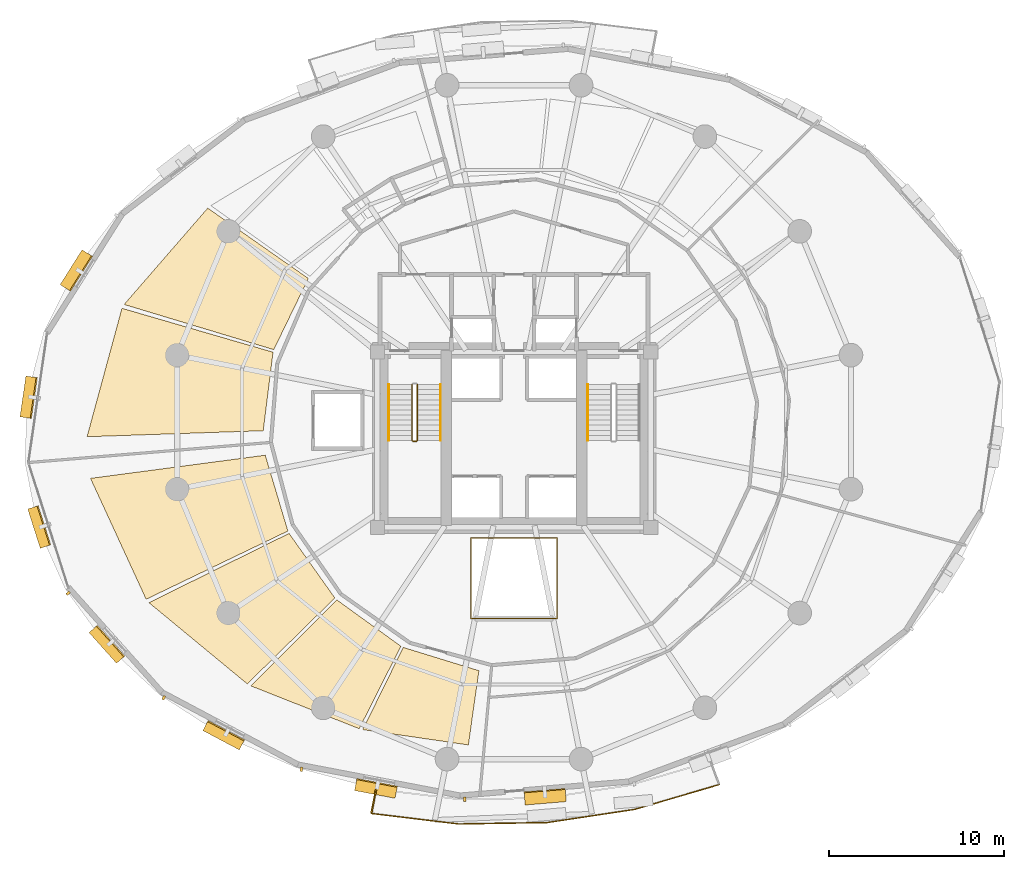
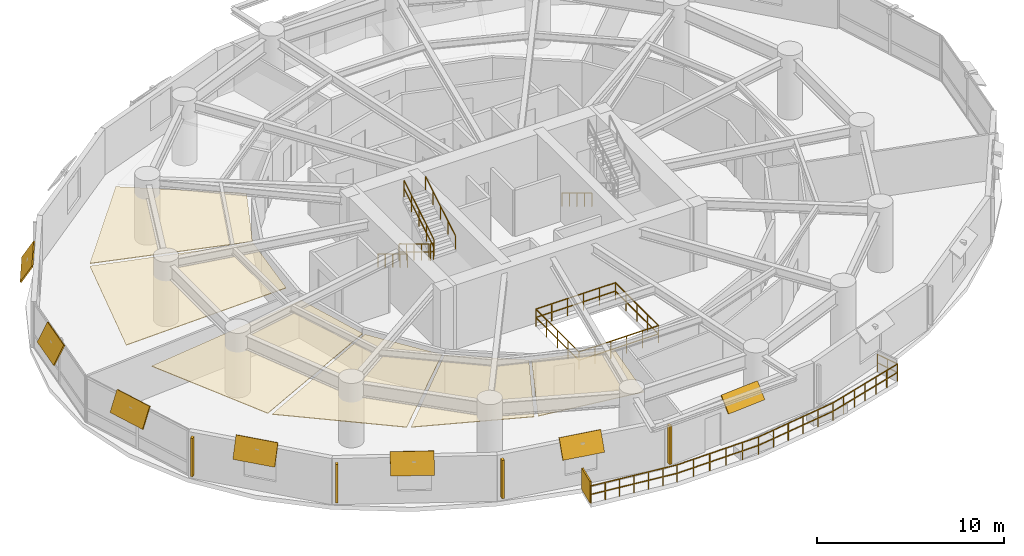
# One storey, part 14 of 16: 12 shading devices, 8 railings, 6 coverings.
"""IFC4 building model written with IfcOpenShell, lengths in metres."""

from ifc_helpers import new_model, si_unit, direction, frame, origin, origin_2d, place, context, subcontext, project, spatial, polyline, rectangle, outline, extrude, material, layer, layer_set, type_object, element, save


model = new_model("IFC4")

# Units and contexts
model_context = context("Model", 3, precision=1e-05, world=origin(), true_north=direction((0.0, 1.0)))
body_context = subcontext(model_context, "Body", "Model", "MODEL_VIEW")
ifc_project = project(units=[si_unit("LENGTHUNIT", "METRE"), si_unit("AREAUNIT", "SQUARE_METRE"), si_unit("VOLUMEUNIT", "CUBIC_METRE"), si_unit("PLANEANGLEUNIT", "RADIAN"), si_unit("MASSUNIT", "GRAM", prefix="KILO"), si_unit("THERMODYNAMICTEMPERATUREUNIT", "KELVIN"), si_unit("POWERUNIT", "WATT")], contexts=[model_context])

# Site, building, storey
site_placement = place(None, origin())
site = spatial("IfcSite", under=ifc_project, at=site_placement, CompositionType="ELEMENT")
building_placement = place(site_placement, origin())
building = spatial("IfcBuilding", under=site, at=building_placement, Name="Ocrelia Relay Tower", CompositionType="ELEMENT")
storey_placement = place(building_placement, frame((0.0, 0.0, 51.0)))
storey = spatial("IfcBuildingStorey", under=building, at=storey_placement, Name="L11", CompositionType="ELEMENT", Elevation=51.0)

# Coverings
ifc_material_1 = material(Name="Mineral-fiber acoustic ceiling tile", Category="gypsum")
ifc_layer_1 = layer(ifc_material_1, 0.0400390625, Name="Mineral-fiber acoustic ceiling tile")
ifc_layer_set_1 = layer_set([ifc_layer_1], Name="Mineral-fiber acoustic ceiling tile")
covering_type_1 = type_object("IfcCoveringType", Name="COV-CEIL-ACOUSTIC", PredefinedType="CEILING", material=ifc_layer_set_1)
covering_1_placement = place(storey_placement, frame((0.0, 0.0, 2.919921875)))
element("IfcCovering", 1, at=covering_1_placement, inside=storey, type_object=covering_type_1, Name="L11 Carrier Briefing Room Suspended Ceiling 3", PredefinedType="CEILING", context=body_context, shape_type="SweptSolid", body=[
    extrude(outline(polyline([(22.2626953125, 34.203369140625), (16.52294921875, 38.21484375), (11.752197265625, 32.717041015625), (20.291259765625, 30.138916015625), (22.2626953125, 34.203369140625)])), origin(), (0.0, 0.0, 1.0), 0.0400390625),
])
covering_2_placement = place(storey_placement, frame((0.0, 0.0, 2.919921875)))
element("IfcCovering", 2, at=covering_2_placement, inside=storey, type_object=covering_type_1, Name="L11 Carrier Briefing Room Suspended Ceiling 4", PredefinedType="CEILING", context=body_context, shape_type="SweptSolid", body=[
    extrude(outline(polyline([(20.24853515625, 29.9951171875), (11.62841796875, 32.49951171875), (9.63623046875, 25.17041015625), (19.688232421875, 25.5126953125), (20.24853515625, 29.9951171875)])), origin(), (0.0, 0.0, 1.0), 0.0400390625),
])
ifc_material_2 = material(Name="Cleanroom metal-pan acoustic ceiling", Category="aluminium")
ifc_layer_2 = layer(ifc_material_2, 0.0400390625, Name="Cleanroom metal-pan acoustic ceiling")
ifc_layer_set_2 = layer_set([ifc_layer_2], Name="Cleanroom metal-pan acoustic ceiling")
covering_type_2 = type_object("IfcCoveringType", Name="COV-CEIL-CLEAN", PredefinedType="CEILING", material=ifc_layer_set_2)
covering_3_placement = place(storey_placement, frame((0.0, 0.0, 2.919921875)))
element("IfcCovering", 3, at=covering_3_placement, inside=storey, type_object=covering_type_2, Name="L11 Colocation Data Hall A Suspended Ceiling 1", PredefinedType="CEILING", context=body_context, shape_type="SweptSolid", body=[
    extrude(outline(polyline([(19.80419921875, 24.118408203125), (9.83349609375, 22.796875), (13.008056640625, 15.897216796875), (21.0966796875, 19.7900390625), (19.80419921875, 24.118408203125)])), origin(), (0.0, 0.0, 1.0), 0.0400390625),
])
covering_4_placement = place(storey_placement, frame((0.0, 0.0, 2.919921875)))
element("IfcCovering", 4, at=covering_4_placement, inside=storey, type_object=covering_type_2, Name="L11 Colocation Data Hall A Suspended Ceiling 2", PredefinedType="CEILING", context=body_context, shape_type="SweptSolid", body=[
    extrude(outline(polyline([(21.162353515625, 19.6552734375), (13.165771484375, 15.703125), (18.77880859375, 11.068115234375), (23.777587890625, 15.971923828125), (21.162353515625, 19.6552734375)])), origin(), (0.0, 0.0, 1.0), 0.0400390625),
])
covering_5_placement = place(storey_placement, frame((0.0, 0.0, 2.919921875)))
element("IfcCovering", 5, at=covering_5_placement, inside=storey, type_object=covering_type_2, Name="L11 Colocation Data Hall A Suspended Ceiling 3", PredefinedType="CEILING", context=body_context, shape_type="SweptSolid", body=[
    extrude(outline(polyline([(23.883056640625, 15.865478515625), (18.980712890625, 10.954345703125), (25.165771484375, 8.511474609375), (27.54345703125, 13.21826171875), (23.883056640625, 15.865478515625)])), origin(), (0.0, 0.0, 1.0), 0.0400390625),
])
covering_6_placement = place(storey_placement, frame((0.0, 0.0, 2.919921875)))
element("IfcCovering", 6, at=covering_6_placement, inside=storey, type_object=covering_type_2, Name="L11 Colocation Data Hall A Suspended Ceiling 4", PredefinedType="CEILING", context=body_context, shape_type="SweptSolid", body=[
    extrude(outline(polyline([(27.677490234375, 13.1513671875), (25.369140625, 8.459716796875), (31.3955078125, 7.585205078125), (31.99462890625, 11.821044921875), (27.677490234375, 13.1513671875)])), origin(), (0.0, 0.0, 1.0), 0.0400390625),
])

# Railings
ifc_material_3 = material(Name="Steel S355 balustrade", Category="steel")
railing_type_1 = type_object("IfcRailingType", Name="RL-EXT-GUARD-1150", PredefinedType="GUARDRAIL", material=ifc_material_3)
railing_1_placement = place(storey_placement, frame((45.227294921875, 6.630859375, 0.0)))
element("IfcRailing", 7, at=railing_1_placement, inside=storey, type_object=railing_type_1, Name="L11 Loggia Balcony Guard Rail B2", PredefinedType="GUARDRAIL", context=body_context, shape_type="SweptSolid", body=[
    extrude(rectangle(XDim=0.048095703125, YDim=0.048095703125, at=origin_2d()), frame((0.0, 0.0, 1.1259765625), z_axis=(0.348683601704, -0.937240495232, 0.0), x_axis=(0.937240495232, 0.348683601704, 0.0)), (0.0, 0.0, 1.0), 1.393310546875),
    extrude(rectangle(XDim=0.048095703125, YDim=0.048095703125, at=origin_2d()), frame((0.0, 0.0, 0.574951171875), z_axis=(0.348683601704, -0.937240495232, 0.0), x_axis=(0.937240495232, 0.348683601704, 0.0)), (0.0, 0.0, 1.0), 1.393310546875),
    extrude(rectangle(XDim=0.048095703125, YDim=0.048095703125, at=origin_2d()), frame((0.48583984375, -1.305908203125, 1.1259765625), z_axis=(-0.9594260059, -0.28196052774, 0.0), x_axis=(0.28196052774, -0.9594260059, 0.0)), (0.0, 0.0, 1.0), 2.5048828125),
    extrude(rectangle(XDim=0.048095703125, YDim=0.048095703125, at=origin_2d()), frame((0.48583984375, -1.305908203125, 0.574951171875), z_axis=(-0.9594260059, -0.28196052774, 0.0), x_axis=(0.28196052774, -0.9594260059, 0.0)), (0.0, 0.0, 1.0), 2.5048828125),
    extrude(rectangle(XDim=0.048095703125, YDim=0.048095703125, at=origin_2d()), frame((-1.91748046875, -2.01220703125, 1.1259765625), z_axis=(-0.9594260059, -0.28196052774, 0.0), x_axis=(0.28196052774, -0.9594260059, 0.0)), (0.0, 0.0, 1.0), 2.5048828125),
    extrude(rectangle(XDim=0.048095703125, YDim=0.048095703125, at=origin_2d()), frame((-1.91748046875, -2.01220703125, 0.574951171875), z_axis=(-0.9594260059, -0.28196052774, 0.0), x_axis=(0.28196052774, -0.9594260059, 0.0)), (0.0, 0.0, 1.0), 2.5048828125),
    extrude(rectangle(XDim=0.048095703125, YDim=0.048095703125, at=origin_2d()), frame((-4.32080078125, -2.718505859375, 1.1259765625), z_axis=(-0.988773840141, -0.14941985495, 0.0), x_axis=(0.14941985495, -0.988773840141, 0.0)), (0.0, 0.0, 1.0), 5.065185546875),
    extrude(rectangle(XDim=0.048095703125, YDim=0.048095703125, at=origin_2d()), frame((-4.32080078125, -2.718505859375, 0.574951171875), z_axis=(-0.988773840141, -0.14941985495, 0.0), x_axis=(0.14941985495, -0.988773840141, 0.0)), (0.0, 0.0, 1.0), 5.065185546875),
    extrude(rectangle(XDim=0.048095703125, YDim=0.048095703125, at=origin_2d()), frame((-9.3291015625, -3.475341796875, 1.1259765625), z_axis=(-0.9998742538, -0.015858013377, 0.0), x_axis=(0.015858013377, -0.9998742538, 0.0)), (0.0, 0.0, 1.0), 5.065185546875),
    extrude(rectangle(XDim=0.048095703125, YDim=0.048095703125, at=origin_2d()), frame((-9.3291015625, -3.475341796875, 0.574951171875), z_axis=(-0.9998742538, -0.015858013377, 0.0), x_axis=(0.015858013377, -0.9998742538, 0.0)), (0.0, 0.0, 1.0), 5.065185546875),
    extrude(rectangle(XDim=0.048095703125, YDim=0.048095703125, at=origin_2d()), frame((-14.3935546875, -3.5556640625, 1.1259765625), z_axis=(-0.992801008866, 0.119775443202, 0.0), x_axis=(-0.119775443202, -0.992801008866, 0.0)), (0.0, 0.0, 1.0), 2.505126953125),
    extrude(rectangle(XDim=0.048095703125, YDim=0.048095703125, at=origin_2d()), frame((-14.3935546875, -3.5556640625, 0.574951171875), z_axis=(-0.992801008866, 0.119775443202, 0.0), x_axis=(-0.119775443202, -0.992801008866, 0.0)), (0.0, 0.0, 1.0), 2.505126953125),
    extrude(rectangle(XDim=0.048095703125, YDim=0.048095703125, at=origin_2d()), frame((-16.880615234375, -3.255615234375, 1.1259765625), z_axis=(-0.992799610521, 0.119787033313, 0.0), x_axis=(-0.119787033313, -0.992799610521, 0.0)), (0.0, 0.0, 1.0), 2.5048828125),
    extrude(rectangle(XDim=0.048095703125, YDim=0.048095703125, at=origin_2d()), frame((-16.880615234375, -3.255615234375, 0.574951171875), z_axis=(-0.992799610521, 0.119787033313, 0.0), x_axis=(-0.119787033313, -0.992799610521, 0.0)), (0.0, 0.0, 1.0), 2.5048828125),
    extrude(rectangle(XDim=0.048095703125, YDim=0.048095703125, at=origin_2d()), frame((-19.367431640625, -2.95556640625, 1.1259765625), z_axis=(0.189237311406, 0.981931382517, 0.0), x_axis=(-0.981931382517, 0.189237311406, 0.0)), (0.0, 0.0, 1.0), 1.393310546875),
    extrude(rectangle(XDim=0.048095703125, YDim=0.048095703125, at=origin_2d()), frame((-19.367431640625, -2.95556640625, 0.574951171875), z_axis=(0.189237311406, 0.981931382517, 0.0), x_axis=(-0.981931382517, 0.189237311406, 0.0)), (0.0, 0.0, 1.0), 1.393310546875),
    extrude(rectangle(XDim=0.0419921875, YDim=0.0419921875, at=origin_2d()), origin(), (0.0, 0.0, 1.0), 1.101806640625),
    extrude(rectangle(XDim=0.0419921875, YDim=0.0419921875, at=origin_2d()), frame((0.242919921875, -0.65283203125, 0.0)), (0.0, 0.0, 1.0), 1.101806640625),
    extrude(rectangle(XDim=0.0419921875, YDim=0.0419921875, at=origin_2d()), frame((0.48583984375, -1.305908203125, 0.0)), (0.0, 0.0, 1.0), 1.101806640625),
    extrude(rectangle(XDim=0.0419921875, YDim=0.0419921875, at=origin_2d()), frame((-0.315185546875, -1.541259765625, 0.0)), (0.0, 0.0, 1.0), 1.101806640625),
    extrude(rectangle(XDim=0.0419921875, YDim=0.0419921875, at=origin_2d()), frame((-1.116455078125, -1.77685546875, 0.0)), (0.0, 0.0, 1.0), 1.101806640625),
    extrude(rectangle(XDim=0.0419921875, YDim=0.0419921875, at=origin_2d()), frame((-1.91748046875, -2.01220703125, 0.0)), (0.0, 0.0, 1.0), 1.101806640625),
    extrude(rectangle(XDim=0.0419921875, YDim=0.0419921875, at=origin_2d()), frame((-2.718505859375, -2.24755859375, 0.0)), (0.0, 0.0, 1.0), 1.101806640625),
    extrude(rectangle(XDim=0.0419921875, YDim=0.0419921875, at=origin_2d()), frame((-3.519775390625, -2.483154296875, 0.0)), (0.0, 0.0, 1.0), 1.101806640625),
    extrude(rectangle(XDim=0.0419921875, YDim=0.0419921875, at=origin_2d()), frame((-4.32080078125, -2.718505859375, 0.0)), (0.0, 0.0, 1.0), 1.101806640625),
    extrude(rectangle(XDim=0.0419921875, YDim=0.0419921875, at=origin_2d()), frame((-5.322509765625, -2.869873046875, 0.0)), (0.0, 0.0, 1.0), 1.101806640625),
    extrude(rectangle(XDim=0.0419921875, YDim=0.0419921875, at=origin_2d()), frame((-6.32421875, -3.021240234375, 0.0)), (0.0, 0.0, 1.0), 1.101806640625),
    extrude(rectangle(XDim=0.0419921875, YDim=0.0419921875, at=origin_2d()), frame((-7.32568359375, -3.172607421875, 0.0)), (0.0, 0.0, 1.0), 1.101806640625),
    extrude(rectangle(XDim=0.0419921875, YDim=0.0419921875, at=origin_2d()), frame((-8.327392578125, -3.323974609375, 0.0)), (0.0, 0.0, 1.0), 1.101806640625),
    extrude(rectangle(XDim=0.0419921875, YDim=0.0419921875, at=origin_2d()), frame((-9.3291015625, -3.475341796875, 0.0)), (0.0, 0.0, 1.0), 1.101806640625),
    extrude(rectangle(XDim=0.0419921875, YDim=0.0419921875, at=origin_2d()), frame((-10.342041015625, -3.491455078125, 0.0)), (0.0, 0.0, 1.0), 1.101806640625),
    extrude(rectangle(XDim=0.0419921875, YDim=0.0419921875, at=origin_2d()), frame((-11.35498046875, -3.507568359375, 0.0)), (0.0, 0.0, 1.0), 1.101806640625),
    extrude(rectangle(XDim=0.0419921875, YDim=0.0419921875, at=origin_2d()), frame((-12.36767578125, -3.5234375, 0.0)), (0.0, 0.0, 1.0), 1.101806640625),
    extrude(rectangle(XDim=0.0419921875, YDim=0.0419921875, at=origin_2d()), frame((-13.380615234375, -3.53955078125, 0.0)), (0.0, 0.0, 1.0), 1.101806640625),
    extrude(rectangle(XDim=0.0419921875, YDim=0.0419921875, at=origin_2d()), frame((-14.3935546875, -3.5556640625, 0.0)), (0.0, 0.0, 1.0), 1.101806640625),
    extrude(rectangle(XDim=0.0419921875, YDim=0.0419921875, at=origin_2d()), frame((-15.22265625, -3.45556640625, 0.0)), (0.0, 0.0, 1.0), 1.101806640625),
    extrude(rectangle(XDim=0.0419921875, YDim=0.0419921875, at=origin_2d()), frame((-16.051513671875, -3.355712890625, 0.0)), (0.0, 0.0, 1.0), 1.101806640625),
    extrude(rectangle(XDim=0.0419921875, YDim=0.0419921875, at=origin_2d()), frame((-16.880615234375, -3.255615234375, 0.0)), (0.0, 0.0, 1.0), 1.101806640625),
    extrude(rectangle(XDim=0.0419921875, YDim=0.0419921875, at=origin_2d()), frame((-17.70947265625, -3.155517578125, 0.0)), (0.0, 0.0, 1.0), 1.101806640625),
    extrude(rectangle(XDim=0.0419921875, YDim=0.0419921875, at=origin_2d()), frame((-18.53857421875, -3.0556640625, 0.0)), (0.0, 0.0, 1.0), 1.101806640625),
    extrude(rectangle(XDim=0.0419921875, YDim=0.0419921875, at=origin_2d()), frame((-19.367431640625, -2.95556640625, 0.0)), (0.0, 0.0, 1.0), 1.101806640625),
    extrude(rectangle(XDim=0.0419921875, YDim=0.0419921875, at=origin_2d()), frame((-19.235595703125, -2.271484375, 0.0)), (0.0, 0.0, 1.0), 1.101806640625),
    extrude(rectangle(XDim=0.0419921875, YDim=0.0419921875, at=origin_2d()), frame((-19.103759765625, -1.58740234375, 0.0)), (0.0, 0.0, 1.0), 1.101806640625),
])
ifc_material_4 = material(Name="Steel S355 atrium balustrade", Category="steel")
railing_type_2 = type_object("IfcRailingType", Name="RL-INT-GUARD-115", PredefinedType="GUARDRAIL", material=ifc_material_4)
railing_2_placement = place(storey_placement, frame((31.550048828125, 14.800048828125, 0.0)))
element("IfcRailing", 8, at=railing_2_placement, inside=storey, type_object=railing_type_2, Name="L11 Multi-Zone Interior Atrium Guard", PredefinedType="GUARDRAIL", context=body_context, shape_type="SweptSolid", body=[
    extrude(rectangle(XDim=0.048095703125, YDim=0.048095703125, at=origin_2d()), frame((0.0, 0.0, 1.1259765625), z_axis=(1.0, 0.0, 0.0), x_axis=(0.0, 1.0, 0.0)), (0.0, 0.0, 1.0), 4.89990234375),
    extrude(rectangle(XDim=0.048095703125, YDim=0.048095703125, at=origin_2d()), frame((0.0, 0.0, 0.574951171875), z_axis=(1.0, 0.0, 0.0), x_axis=(0.0, 1.0, 0.0)), (0.0, 0.0, 1.0), 4.89990234375),
    extrude(rectangle(XDim=0.048095703125, YDim=0.048095703125, at=origin_2d()), frame((4.89990234375, 0.0, 1.1259765625), z_axis=(0.0, 1.0, 0.0), x_axis=(-1.0, 0.0, 0.0)), (0.0, 0.0, 1.0), 4.599853515625),
    extrude(rectangle(XDim=0.048095703125, YDim=0.048095703125, at=origin_2d()), frame((4.89990234375, 0.0, 0.574951171875), z_axis=(0.0, 1.0, 0.0), x_axis=(-1.0, 0.0, 0.0)), (0.0, 0.0, 1.0), 4.599853515625),
    extrude(rectangle(XDim=0.048095703125, YDim=0.048095703125, at=origin_2d()), frame((4.89990234375, 4.599853515625, 1.1259765625), z_axis=(-1.0, 0.0, 0.0), x_axis=(0.0, -1.0, 0.0)), (0.0, 0.0, 1.0), 4.89990234375),
    extrude(rectangle(XDim=0.048095703125, YDim=0.048095703125, at=origin_2d()), frame((4.89990234375, 4.599853515625, 0.574951171875), z_axis=(-1.0, 0.0, 0.0), x_axis=(0.0, -1.0, 0.0)), (0.0, 0.0, 1.0), 4.89990234375),
    extrude(rectangle(XDim=0.048095703125, YDim=0.048095703125, at=origin_2d()), frame((0.0, 4.599853515625, 1.1259765625), z_axis=(0.0, -1.0, 0.0), x_axis=(1.0, 0.0, 0.0)), (0.0, 0.0, 1.0), 4.599853515625),
    extrude(rectangle(XDim=0.048095703125, YDim=0.048095703125, at=origin_2d()), frame((0.0, 4.599853515625, 0.574951171875), z_axis=(0.0, -1.0, 0.0), x_axis=(1.0, 0.0, 0.0)), (0.0, 0.0, 1.0), 4.599853515625),
    extrude(rectangle(XDim=0.0419921875, YDim=0.0419921875, at=origin_2d()), origin(), (0.0, 0.0, 1.0), 1.101806640625),
    extrude(rectangle(XDim=0.0419921875, YDim=0.0419921875, at=origin_2d()), frame((0.97998046875, 0.0, 0.0)), (0.0, 0.0, 1.0), 1.101806640625),
    extrude(rectangle(XDim=0.0419921875, YDim=0.0419921875, at=origin_2d()), frame((1.9599609375, 0.0, 0.0)), (0.0, 0.0, 1.0), 1.101806640625),
    extrude(rectangle(XDim=0.0419921875, YDim=0.0419921875, at=origin_2d()), frame((2.93994140625, 0.0, 0.0)), (0.0, 0.0, 1.0), 1.101806640625),
    extrude(rectangle(XDim=0.0419921875, YDim=0.0419921875, at=origin_2d()), frame((3.919921875, 0.0, 0.0)), (0.0, 0.0, 1.0), 1.101806640625),
    extrude(rectangle(XDim=0.0419921875, YDim=0.0419921875, at=origin_2d()), frame((4.89990234375, 0.0, 0.0)), (0.0, 0.0, 1.0), 1.101806640625),
    extrude(rectangle(XDim=0.0419921875, YDim=0.0419921875, at=origin_2d()), frame((4.89990234375, 1.14990234375, 0.0)), (0.0, 0.0, 1.0), 1.101806640625),
    extrude(rectangle(XDim=0.0419921875, YDim=0.0419921875, at=origin_2d()), frame((4.89990234375, 2.2998046875, 0.0)), (0.0, 0.0, 1.0), 1.101806640625),
    extrude(rectangle(XDim=0.0419921875, YDim=0.0419921875, at=origin_2d()), frame((4.89990234375, 3.449951171875, 0.0)), (0.0, 0.0, 1.0), 1.101806640625),
    extrude(rectangle(XDim=0.0419921875, YDim=0.0419921875, at=origin_2d()), frame((4.89990234375, 4.599853515625, 0.0)), (0.0, 0.0, 1.0), 1.101806640625),
    extrude(rectangle(XDim=0.0419921875, YDim=0.0419921875, at=origin_2d()), frame((3.919921875, 4.599853515625, 0.0)), (0.0, 0.0, 1.0), 1.101806640625),
    extrude(rectangle(XDim=0.0419921875, YDim=0.0419921875, at=origin_2d()), frame((2.93994140625, 4.599853515625, 0.0)), (0.0, 0.0, 1.0), 1.101806640625),
    extrude(rectangle(XDim=0.0419921875, YDim=0.0419921875, at=origin_2d()), frame((1.9599609375, 4.599853515625, 0.0)), (0.0, 0.0, 1.0), 1.101806640625),
    extrude(rectangle(XDim=0.0419921875, YDim=0.0419921875, at=origin_2d()), frame((0.97998046875, 4.599853515625, 0.0)), (0.0, 0.0, 1.0), 1.101806640625),
    extrude(rectangle(XDim=0.0419921875, YDim=0.0419921875, at=origin_2d()), frame((0.0, 4.599853515625, 0.0)), (0.0, 0.0, 1.0), 1.101806640625),
    extrude(rectangle(XDim=0.0419921875, YDim=0.0419921875, at=origin_2d()), frame((0.0, 3.449951171875, 0.0)), (0.0, 0.0, 1.0), 1.101806640625),
    extrude(rectangle(XDim=0.0419921875, YDim=0.0419921875, at=origin_2d()), frame((0.0, 2.2998046875, 0.0)), (0.0, 0.0, 1.0), 1.101806640625),
    extrude(rectangle(XDim=0.0419921875, YDim=0.0419921875, at=origin_2d()), frame((0.0, 1.14990234375, 0.0)), (0.0, 0.0, 1.0), 1.101806640625),
])
railing_type_3 = type_object("IfcRailingType", Name="RL-STAIR-GUARD", PredefinedType="GUARDRAIL", material=ifc_material_3)
railing_3_placement = place(storey_placement, frame((28.179931640625, 28.14990234375, 0.175048828125)))
element("IfcRailing", 9, at=railing_3_placement, inside=storey, type_object=railing_type_3, Name="L11 ST1 stair guard 1", PredefinedType="GUARDRAIL", context=body_context, shape_type="SweptSolid", body=[
    extrude(rectangle(XDim=0.048095703125, YDim=0.048095703125, at=origin_2d()), frame((0.0, 0.0, 1.076171875), z_axis=(0.0, -0.856177665481, 0.516681531633), x_axis=(1.0, 0.0, 0.0)), (0.0, 0.0, 1.0), 3.725830078125),
    extrude(rectangle(XDim=0.048095703125, YDim=0.048095703125, at=origin_2d()), frame((0.0, 0.0, 0.550048828125), z_axis=(0.0, -0.856177665481, 0.516681531633), x_axis=(1.0, 0.0, 0.0)), (0.0, 0.0, 1.0), 3.725830078125),
    extrude(rectangle(XDim=0.0419921875, YDim=0.0419921875, at=origin_2d()), origin(), (0.0, 0.0, 1.0), 1.052001953125),
    extrude(rectangle(XDim=0.0419921875, YDim=0.0419921875, at=origin_2d()), frame((0.0, -0.79736328125, 0.481201171875)), (0.0, 0.0, 1.0), 1.052001953125),
    extrude(rectangle(XDim=0.0419921875, YDim=0.0419921875, at=origin_2d()), frame((0.0, -1.594970703125, 0.96240234375)), (0.0, 0.0, 1.0), 1.052001953125),
    extrude(rectangle(XDim=0.0419921875, YDim=0.0419921875, at=origin_2d()), frame((0.0, -2.392578125, 1.44384765625)), (0.0, 0.0, 1.0), 1.052001953125),
    extrude(rectangle(XDim=0.0419921875, YDim=0.0419921875, at=origin_2d()), frame((0.0, -3.18994140625, 1.925048828125)), (0.0, 0.0, 1.0), 1.052001953125),
])
railing_4_placement = place(storey_placement, frame((28.22998046875, 24.909912109375, 2.10009765625)))
element("IfcRailing", 10, at=railing_4_placement, inside=storey, type_object=railing_type_3, Name="L11 ST1 stair guard 2", PredefinedType="GUARDRAIL", context=body_context, shape_type="SweptSolid", body=[
    extrude(rectangle(XDim=0.048095703125, YDim=0.048095703125, at=origin_2d()), frame((0.0, 0.0, 1.076171875), z_axis=(1.0, 0.0, 0.0), x_axis=(0.0, 1.0, 0.0)), (0.0, 0.0, 1.0), 0.199951171875),
    extrude(rectangle(XDim=0.048095703125, YDim=0.048095703125, at=origin_2d()), frame((0.0, 0.0, 0.550048828125), z_axis=(1.0, 0.0, 0.0), x_axis=(0.0, 1.0, 0.0)), (0.0, 0.0, 1.0), 0.199951171875),
    extrude(rectangle(XDim=0.0419921875, YDim=0.0419921875, at=origin_2d()), origin(), (0.0, 0.0, 1.0), 1.052001953125),
    extrude(rectangle(XDim=0.0419921875, YDim=0.0419921875, at=origin_2d()), frame((0.199951171875, 0.0, 0.0)), (0.0, 0.0, 1.0), 1.052001953125),
])
railing_5_placement = place(storey_placement, frame((28.47998046875, 24.9599609375, 2.27490234375)))
element("IfcRailing", 11, at=railing_5_placement, inside=storey, type_object=railing_type_3, Name="L11 ST1 stair guard 3", PredefinedType="GUARDRAIL", context=body_context, shape_type="SweptSolid", body=[
    extrude(rectangle(XDim=0.048095703125, YDim=0.048095703125, at=origin_2d()), frame((0.0, 0.0, 1.076171875), z_axis=(0.0, 0.856177665481, 0.516681531633), x_axis=(-1.0, 0.0, 0.0)), (0.0, 0.0, 1.0), 3.725830078125),
    extrude(rectangle(XDim=0.048095703125, YDim=0.048095703125, at=origin_2d()), frame((0.0, 0.0, 0.550048828125), z_axis=(0.0, 0.856177665481, 0.516681531633), x_axis=(-1.0, 0.0, 0.0)), (0.0, 0.0, 1.0), 3.725830078125),
    extrude(rectangle(XDim=0.0419921875, YDim=0.0419921875, at=origin_2d()), origin(), (0.0, 0.0, 1.0), 1.052001953125),
    extrude(rectangle(XDim=0.0419921875, YDim=0.0419921875, at=origin_2d()), frame((0.0, 0.79736328125, 0.481201171875)), (0.0, 0.0, 1.0), 1.052001953125),
    extrude(rectangle(XDim=0.0419921875, YDim=0.0419921875, at=origin_2d()), frame((0.0, 1.594970703125, 0.96240234375)), (0.0, 0.0, 1.0), 1.052001953125),
    extrude(rectangle(XDim=0.0419921875, YDim=0.0419921875, at=origin_2d()), frame((0.0, 2.392578125, 1.44384765625)), (0.0, 0.0, 1.0), 1.052001953125),
    extrude(rectangle(XDim=0.0419921875, YDim=0.0419921875, at=origin_2d()), frame((0.0, 3.18994140625, 1.925048828125)), (0.0, 0.0, 1.0), 1.052001953125),
])
ifc_material_5 = material(Name="Steel S355 tubular handrail", Category="steel")
railing_type_4 = type_object("IfcRailingType", Name="RL-STAIR-HAND", PredefinedType="HANDRAIL", material=ifc_material_5)
railing_6_placement = place(storey_placement, frame((26.860107421875, 28.14990234375, 0.175048828125)))
element("IfcRailing", 12, at=railing_6_placement, inside=storey, type_object=railing_type_4, Name="L11 ST1 stair handrail 1", PredefinedType="HANDRAIL", context=body_context, shape_type="SweptSolid", body=[
    extrude(rectangle(XDim=0.048095703125, YDim=0.048095703125, at=origin_2d()), frame((0.0, 0.0, 0.8759765625), z_axis=(0.0, -0.856177665481, 0.516681531633), x_axis=(1.0, 0.0, 0.0)), (0.0, 0.0, 1.0), 3.725830078125),
    extrude(rectangle(XDim=0.0419921875, YDim=0.0419921875, at=origin_2d()), origin(), (0.0, 0.0, 1.0), 0.851806640625),
    extrude(rectangle(XDim=0.0419921875, YDim=0.0419921875, at=origin_2d()), frame((0.0, -0.79736328125, 0.481201171875)), (0.0, 0.0, 1.0), 0.851806640625),
    extrude(rectangle(XDim=0.0419921875, YDim=0.0419921875, at=origin_2d()), frame((0.0, -1.594970703125, 0.96240234375)), (0.0, 0.0, 1.0), 0.851806640625),
    extrude(rectangle(XDim=0.0419921875, YDim=0.0419921875, at=origin_2d()), frame((0.0, -2.392578125, 1.44384765625)), (0.0, 0.0, 1.0), 0.851806640625),
    extrude(rectangle(XDim=0.0419921875, YDim=0.0419921875, at=origin_2d()), frame((0.0, -3.18994140625, 1.925048828125)), (0.0, 0.0, 1.0), 0.851806640625),
])
railing_7_placement = place(storey_placement, frame((29.800048828125, 24.9599609375, 2.27490234375)))
element("IfcRailing", 13, at=railing_7_placement, inside=storey, type_object=railing_type_4, Name="L11 ST1 stair handrail 2", PredefinedType="HANDRAIL", context=body_context, shape_type="SweptSolid", body=[
    extrude(rectangle(XDim=0.048095703125, YDim=0.048095703125, at=origin_2d()), frame((0.0, 0.0, 0.8759765625), z_axis=(0.0, 0.856177665481, 0.516681531633), x_axis=(-1.0, 0.0, 0.0)), (0.0, 0.0, 1.0), 3.725830078125),
    extrude(rectangle(XDim=0.0419921875, YDim=0.0419921875, at=origin_2d()), origin(), (0.0, 0.0, 1.0), 0.851806640625),
    extrude(rectangle(XDim=0.0419921875, YDim=0.0419921875, at=origin_2d()), frame((0.0, 0.79736328125, 0.481201171875)), (0.0, 0.0, 1.0), 0.851806640625),
    extrude(rectangle(XDim=0.0419921875, YDim=0.0419921875, at=origin_2d()), frame((0.0, 1.594970703125, 0.96240234375)), (0.0, 0.0, 1.0), 0.851806640625),
    extrude(rectangle(XDim=0.0419921875, YDim=0.0419921875, at=origin_2d()), frame((0.0, 2.392578125, 1.44384765625)), (0.0, 0.0, 1.0), 0.851806640625),
    extrude(rectangle(XDim=0.0419921875, YDim=0.0419921875, at=origin_2d()), frame((0.0, 3.18994140625, 1.925048828125)), (0.0, 0.0, 1.0), 0.851806640625),
])
railing_8_placement = place(storey_placement, frame((38.2099609375, 28.14990234375, 0.175048828125)))
element("IfcRailing", 14, at=railing_8_placement, inside=storey, type_object=railing_type_4, Name="L11 ST2 stair handrail 1", PredefinedType="HANDRAIL", context=body_context, shape_type="SweptSolid", body=[
    extrude(rectangle(XDim=0.048095703125, YDim=0.048095703125, at=origin_2d()), frame((0.0, 0.0, 0.8759765625), z_axis=(0.0, -0.856177665481, 0.516681531633), x_axis=(1.0, 0.0, 0.0)), (0.0, 0.0, 1.0), 3.725830078125),
    extrude(rectangle(XDim=0.0419921875, YDim=0.0419921875, at=origin_2d()), origin(), (0.0, 0.0, 1.0), 0.851806640625),
    extrude(rectangle(XDim=0.0419921875, YDim=0.0419921875, at=origin_2d()), frame((0.0, -0.79736328125, 0.481201171875)), (0.0, 0.0, 1.0), 0.851806640625),
    extrude(rectangle(XDim=0.0419921875, YDim=0.0419921875, at=origin_2d()), frame((0.0, -1.594970703125, 0.96240234375)), (0.0, 0.0, 1.0), 0.851806640625),
    extrude(rectangle(XDim=0.0419921875, YDim=0.0419921875, at=origin_2d()), frame((0.0, -2.392578125, 1.44384765625)), (0.0, 0.0, 1.0), 0.851806640625),
    extrude(rectangle(XDim=0.0419921875, YDim=0.0419921875, at=origin_2d()), frame((0.0, -3.18994140625, 1.925048828125)), (0.0, 0.0, 1.0), 0.851806640625),
])

# Shading devices
ifc_material_6 = material(Name="Perforated oxide terracotta solar screen", Category="masonry")
ifc_layer_3 = layer(ifc_material_6, 0.090087890625, Name="Perforated oxide terracotta solar screen")
ifc_layer_set_3 = layer_set([ifc_layer_3], Name="Perforated oxide terracotta solar screen")
shading_device_type_1 = type_object("IfcShadingDeviceType", Name="SH-BALC-SCREEN", PredefinedType="USERDEFINED", material=ifc_layer_set_3)
shading_device_1_placement = place(storey_placement, frame((25.99169921875, 4.359375, 0.0), z_axis=(0.0, 0.0, 1.0), x_axis=(-0.189307836421, -0.981917788346, 0.0)))
element("IfcShadingDevice", 15, at=shading_device_1_placement, inside=storey, type_object=shading_device_type_1, Name="L11 Balcony Perforated Terracotta Screen B2-1", ObjectType="SCREEN", PredefinedType="USERDEFINED", context=body_context, shape_type="SweptSolid", body=[
    extrude(rectangle(XDim=1.340087890625, YDim=0.090087890625, at=origin_2d()), origin(), (0.0, 0.0, 1.0), 1.39990234375),
])
ifc_material_7 = material(Name="Extruded oxide terracotta vertical baguette", Category="masonry")
shading_device_type_2 = type_object("IfcShadingDeviceType", Name="SH-TERR-BAGUETTE", PredefinedType="USERDEFINED", material=ifc_material_7)
for number, where, z_axis, x_axis, name in (
    (16, (8.5576171875, 16.24462890625, 0.25), (0.0, 0.0, 1.0), (0.665877522085, -0.746061073627, 0.0), "L11 Oxide Terracotta Vertical Baguette 11"),
    (17, (14.014892578125, 10.276611328125, 0.25), (0.0, 0.0, 1.0), (0.88304900453, -0.469280785457, 0.0), "L11 Oxide Terracotta Vertical Baguette 12"),
    (18, (21.86767578125, 6.195068359375, 0.25), (0.0, 0.0, 1.0), (0.982182011935, -0.187932156459, 0.0), "L11 Oxide Terracotta Vertical Baguette 13"),
    (19, (31.184326171875, 4.486572265625, 0.25), (0.0, 0.0, 1.0), (0.996565516315, 0.082808041232, 0.0), "L11 Oxide Terracotta Vertical Baguette 14"),
):
    element("IfcShadingDevice", number, at=place(storey_placement, frame(where, z_axis=z_axis, x_axis=x_axis)), inside=storey, type_object=shading_device_type_2, Name=name, ObjectType="BAGUETTE", PredefinedType="USERDEFINED", context=body_context, shape_type="SweptSolid", body=[
        extrude(rectangle(XDim=0.139892578125, YDim=0.239990234375, at=origin_2d()), origin(), (0.0, 0.0, 1.0), 2.5),
    ])
ifc_material_8 = material(Name="Extruded oxide terracotta fin", Category="masonry")
ifc_layer_4 = layer(ifc_material_8, 0.080078125, Name="Extruded oxide terracotta fin")
ifc_layer_set_4 = layer_set([ifc_layer_4], Name="Extruded oxide terracotta fin")
shading_device_type_3 = type_object("IfcShadingDeviceType", Name="SH-VISOR-FIN-DEEP", PredefinedType="USERDEFINED", material=ifc_layer_set_4)
shading_device_2_placement = place(storey_placement, frame((9.0537109375, 34.63623046875, 2.819580078125), z_axis=(-0.726680096808, 0.458485107582, 0.511593044351), x_axis=(-0.533601290202, -0.845736166363, 0.0)))
element("IfcShadingDevice", 20, at=shading_device_2_placement, inside=storey, type_object=shading_device_type_3, Name="L11 Canted Terracotta Sun-Visor Fin 08", ObjectType="FIN", PredefinedType="USERDEFINED", context=body_context, shape_type="SweptSolid", body=[
    extrude(rectangle(XDim=2.35009765625, YDim=1.237060546875, at=origin_2d()), origin(), (0.0, 0.0, 1.0), 0.080078125),
])
shading_device_3_placement = place(storey_placement, frame((6.340576171875, 27.419189453125, 2.822021484375), z_axis=(-0.883438263796, 0.127460885621, 0.450877540689), x_axis=(-0.14279958631, -0.989751624474, 0.0)))
element("IfcShadingDevice", 21, at=shading_device_3_placement, inside=storey, type_object=shading_device_type_3, Name="L11 Canted Terracotta Sun-Visor Fin 09", ObjectType="FIN", PredefinedType="USERDEFINED", context=body_context, shape_type="SweptSolid", body=[
    extrude(rectangle(XDim=2.35009765625, YDim=1.302978515625, at=origin_2d()), origin(), (0.0, 0.0, 1.0), 0.080078125),
])
shading_device_4_placement = place(storey_placement, frame((6.944580078125, 20.032958984375, 2.823486328125), z_axis=(-0.866353559315, -0.27665501031, 0.415804660306), x_axis=(0.304199031476, -0.952608497363, 0.0)))
element("IfcShadingDevice", 22, at=shading_device_4_placement, inside=storey, type_object=shading_device_type_3, Name="L11 Canted Terracotta Sun-Visor Fin 10", ObjectType="FIN", PredefinedType="USERDEFINED", context=body_context, shape_type="SweptSolid", body=[
    extrude(rectangle(XDim=2.35009765625, YDim=1.340087890625, at=origin_2d()), origin(), (0.0, 0.0, 1.0), 0.080078125),
])
shading_device_5_placement = place(storey_placement, frame((10.79541015625, 13.351318359375, 2.82373046875), z_axis=(-0.681295635041, -0.608072804366, 0.407533706906), x_axis=(0.665877522085, -0.746061073627, 0.0)))
element("IfcShadingDevice", 23, at=shading_device_5_placement, inside=storey, type_object=shading_device_type_3, Name="L11 Canted Terracotta Sun-Visor Fin 11", ObjectType="FIN", PredefinedType="USERDEFINED", context=body_context, shape_type="SweptSolid", body=[
    extrude(rectangle(XDim=2.35009765625, YDim=1.34912109375, at=origin_2d()), origin(), (0.0, 0.0, 1.0), 0.080078125),
])
shading_device_6_placement = place(storey_placement, frame((17.44970703125, 8.172607421875, 2.82275390625), z_axis=(-0.422609185027, -0.795226720778, 0.434759633927), x_axis=(0.88304900453, -0.469280785457, 0.0)))
element("IfcShadingDevice", 24, at=shading_device_6_placement, inside=storey, type_object=shading_device_type_3, Name="L11 Canted Terracotta Sun-Visor Fin 12", ObjectType="FIN", PredefinedType="USERDEFINED", context=body_context, shape_type="SweptSolid", body=[
    extrude(rectangle(XDim=2.35009765625, YDim=1.320068359375, at=origin_2d()), origin(), (0.0, 0.0, 1.0), 0.080078125),
])
shading_device_7_placement = place(storey_placement, frame((26.12841796875, 5.14111328125, 2.819580078125), z_axis=(-0.16135896567, -0.843303650274, 0.512642407174), x_axis=(0.982182011935, -0.187932156459, 0.0)))
element("IfcShadingDevice", 25, at=shading_device_7_placement, inside=storey, type_object=shading_device_type_3, Name="L11 Canted Terracotta Sun-Visor Fin 13", ObjectType="FIN", PredefinedType="USERDEFINED", context=body_context, shape_type="SweptSolid", body=[
    extrude(rectangle(XDim=2.35009765625, YDim=1.236083984375, at=origin_2d()), origin(), (0.0, 0.0, 1.0), 0.080078125),
])
ifc_layer_5 = layer(ifc_material_8, 0.080078125, Name="Extruded oxide terracotta fin")
ifc_layer_set_5 = layer_set([ifc_layer_5], Name="Extruded oxide terracotta fin")
shading_device_type_4 = type_object("IfcShadingDeviceType", Name="SH-VISOR-FIN-MED", PredefinedType="USERDEFINED", material=ifc_layer_set_5)
shading_device_8_placement = place(storey_placement, frame((35.77294921875, 4.663330078125, 2.814453125), z_axis=(0.063721701046, -0.766868156267, 0.638633522232), x_axis=(0.996565516315, 0.082808041232, 0.0)))
element("IfcShadingDevice", 26, at=shading_device_8_placement, inside=storey, type_object=shading_device_type_4, Name="L11 Canted Terracotta Sun-Visor Fin 14", ObjectType="FIN", PredefinedType="USERDEFINED", context=body_context, shape_type="SweptSolid", body=[
    extrude(rectangle(XDim=2.35009765625, YDim=1.087890625, at=origin_2d()), origin(), (0.0, 0.0, 1.0), 0.080078125),
])

save(model, "model.ifc")
